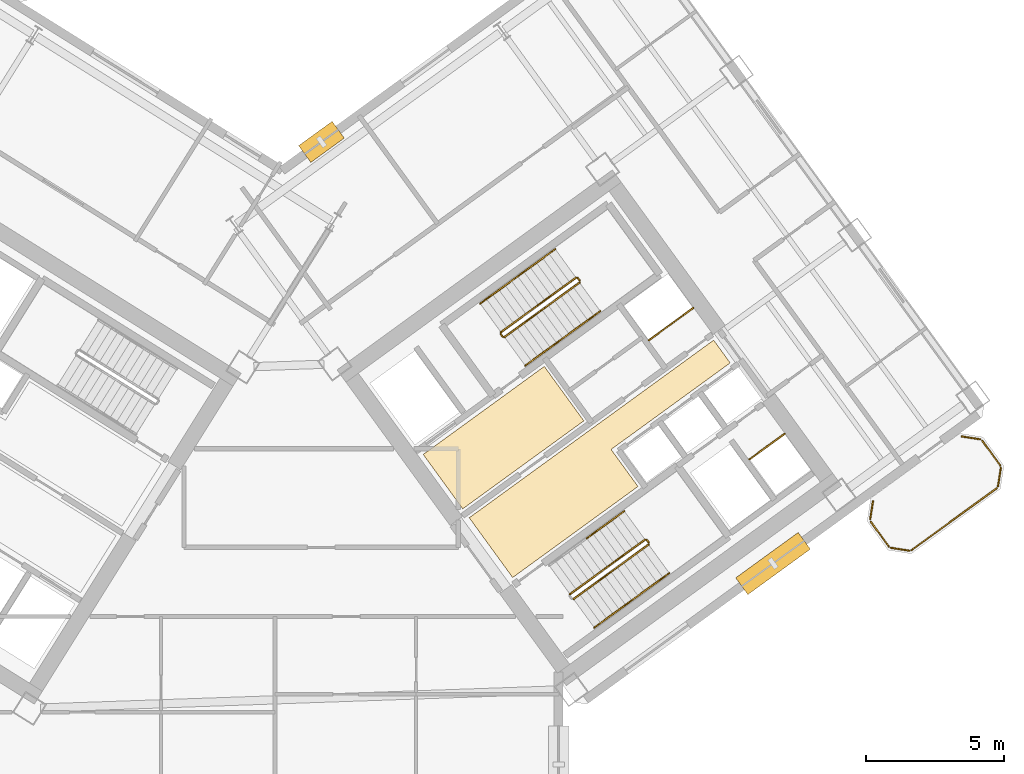
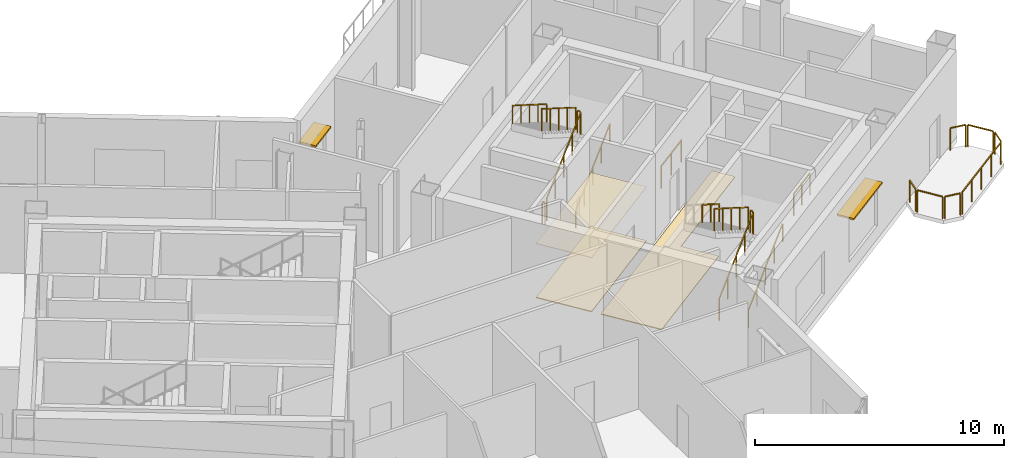
# One storey, part 20 of 21: 23 railings, 3 coverings, 2 shading devices.
"""IFC4 building model written with IfcOpenShell, lengths in metres."""

from ifc_helpers import new_model, si_unit, direction, frame, origin, origin_2d, place, context, subcontext, project, spatial, polyline, rectangle, outline, extrude, source, transform, mapped, material, layer, layer_set, type_object, element, save


model = new_model("IFC4")

# Units and contexts
model_context = context("Model", 3, precision=1e-05, world=origin(), true_north=direction((0.0, 1.0)))
body_context = subcontext(model_context, "Body", "Model", "MODEL_VIEW")
ifc_project = project(units=[si_unit("LENGTHUNIT", "METRE"), si_unit("AREAUNIT", "SQUARE_METRE"), si_unit("VOLUMEUNIT", "CUBIC_METRE"), si_unit("PLANEANGLEUNIT", "RADIAN"), si_unit("MASSUNIT", "GRAM", prefix="KILO")], contexts=[model_context])

# Site, building, storey
site_placement = place(None, origin())
site = spatial("IfcSite", under=ifc_project, at=site_placement, CompositionType="ELEMENT")
building_placement = place(site_placement, origin())
building = spatial("IfcBuilding", under=site, at=building_placement, Name="Tlacorven Tower", CompositionType="ELEMENT")
storey_placement = place(building_placement, frame((0.0, 0.0, 100.800048828125)))
storey = spatial("IfcBuildingStorey", under=building, at=storey_placement, Name="L25", CompositionType="ELEMENT", Elevation=100.800048828125)

# Coverings
ifc_material_1 = material(Name="Acoustic mineral-fibre ceiling")
ifc_layer_1 = layer(ifc_material_1, 0.02490234375)
ifc_layer_set_1 = layer_set([ifc_layer_1], Name="Acoustic mineral-fibre ceiling")
covering_type_1 = type_object("IfcCoveringType", Name="CV-CLG-ACST", PredefinedType="CEILING", material=ifc_layer_set_1)
covering_1_placement = place(storey_placement, frame((0.0, 0.0, 2.64990234375)))
element("IfcCovering", 1, at=covering_1_placement, inside=storey, type_object=covering_type_1, Name="L25 Acoustic Suspended Ceiling 3", PredefinedType="CEILING", context=body_context, shape_type="SweptSolid", body=[
    extrude(outline(polyline([(48.760498046875, 19.326171875), (47.326171875, 21.300048828125), (51.71923828125, 24.49169921875), (53.1533203125, 22.517822265625), (48.760498046875, 19.326171875)])), origin(), (0.0, 0.0, 1.0), 0.025146484375),
])
ifc_material_2 = material(Name="Terrazzo and ceramic flooring")
ifc_layer_2 = layer(ifc_material_2, 0.0400390625)
ifc_layer_set_2 = layer_set([ifc_layer_2], Name="Terrazzo and ceramic flooring")
covering_type_2 = type_object("IfcCoveringType", Name="CV-FLR-TERZ", PredefinedType="FLOORING", material=ifc_layer_set_2)
covering_2_placement = place(storey_placement, origin())
element("IfcCovering", 2, at=covering_2_placement, inside=storey, type_object=covering_type_2, Name="L25 Terrazzo Floor Finish 3", PredefinedType="FLOORING", context=body_context, shape_type="SweptSolid", body=[
    extrude(outline(polyline([(48.760498046875, 19.326171875), (47.326171875, 21.300048828125), (51.71923828125, 24.49169921875), (53.1533203125, 22.517822265625), (48.760498046875, 19.326171875)])), origin(), (0.0, 0.0, 1.0), 0.0400390625),
])
covering_3_placement = place(storey_placement, origin())
element("IfcCovering", 3, at=covering_3_placement, inside=storey, type_object=covering_type_2, Name="L25 Terrazzo Floor Finish 4", PredefinedType="FLOORING", context=body_context, shape_type="SweptSolid", body=[
    extrude(outline(polyline([(50.57080078125, 16.834228515625), (48.99560546875, 19.00244140625), (57.8623046875, 25.444580078125), (58.4619140625, 24.619384765625), (54.141845703125, 21.480712890625), (55.117431640625, 20.1376953125), (50.57080078125, 16.834228515625)])), origin(), (0.0, 0.0, 1.0), 0.0400390625),
])

# Railings
ifc_material_3 = material(Name="Aluminium and painted steel balustrade", Category="steel")
railing_type_1 = type_object("IfcRailingType", Name="RL-GRD-1100", PredefinedType="GUARDRAIL", material=ifc_material_3)
shared_shape_1 = source(origin(), body_context, "Body", "SweptSolid", [
    extrude(rectangle(XDim=0.048095703125, YDim=0.048095703125, at=origin_2d()), frame((0.0, 0.0, 1.076171875), z_axis=(0.808947177504, 0.587881334972, 0.0), x_axis=(-0.587881334972, 0.808947177504, 0.0)), (0.0, 0.0, 1.0), 2.0),
    extrude(rectangle(XDim=0.0419921875, YDim=0.0419921875, at=origin_2d()), origin(), (0.0, 0.0, 1.0), 1.052001953125),
    extrude(rectangle(XDim=0.0419921875, YDim=0.0419921875, at=origin_2d()), frame((0.80908203125, 0.587890625, 0.0)), (0.0, 0.0, 1.0), 1.052001953125),
    extrude(rectangle(XDim=0.0419921875, YDim=0.0419921875, at=origin_2d()), frame((1.617919921875, 1.17578125, 0.0)), (0.0, 0.0, 1.0), 1.052001953125),
])
railing_1_placement = place(storey_placement, frame((55.506103515625, 25.438232421875, 0.0)))
element("IfcRailing", 4, at=railing_1_placement, inside=storey, type_object=railing_type_1, Name="L25 Electrical Riser E Shaft Guard 1", PredefinedType="GUARDRAIL", context=body_context, shape_type="MappedRepresentation", body=[
    mapped(shared_shape_1, transform((0.0, 0.0, 0.0), scale=1.0)),
])
shared_shape_2 = source(origin(), body_context, "Body", "SweptSolid", [
    extrude(rectangle(XDim=0.048095703125, YDim=0.048095703125, at=origin_2d()), frame((0.0, 0.0, 1.076171875), z_axis=(0.809029975545, 0.58776738483, 0.0), x_axis=(-0.58776738483, 0.809029975545, 0.0)), (0.0, 0.0, 1.0), 1.580078125),
    extrude(rectangle(XDim=0.0419921875, YDim=0.0419921875, at=origin_2d()), origin(), (0.0, 0.0, 1.0), 1.052001953125),
    extrude(rectangle(XDim=0.0419921875, YDim=0.0419921875, at=origin_2d()), frame((0.63916015625, 0.46435546875, 0.0)), (0.0, 0.0, 1.0), 1.052001953125),
    extrude(rectangle(XDim=0.0419921875, YDim=0.0419921875, at=origin_2d()), frame((1.2783203125, 0.9287109375, 0.0)), (0.0, 0.0, 1.0), 1.052001953125),
])
railing_2_placement = place(storey_placement, frame((59.160888671875, 21.122314453125, 0.0)))
element("IfcRailing", 5, at=railing_2_placement, inside=storey, type_object=railing_type_1, Name="L25 Smoke Riser E Shaft Guard 1", PredefinedType="GUARDRAIL", context=body_context, shape_type="MappedRepresentation", body=[
    mapped(shared_shape_2, transform((0.0, 0.0, 0.0), scale=1.0)),
])
railing_type_2 = type_object("IfcRailingType", Name="RL-BAL-1100", PredefinedType="BALUSTRADE", material=ifc_material_3)
shared_shape_3 = source(origin(), body_context, "Body", "SweptSolid", [
    extrude(rectangle(XDim=0.048095703125, YDim=0.048095703125, at=origin_2d()), frame((0.0, 0.0, 1.076171875), z_axis=(0.156602868908, 0.987661653326, 0.0), x_axis=(-0.987661653326, 0.156602868908, 0.0)), (0.0, 0.0, 1.0), 0.665771484375),
    extrude(rectangle(XDim=0.0419921875, YDim=0.0419921875, at=origin_2d()), origin(), (0.0, 0.0, 1.0), 1.052001953125),
    extrude(rectangle(XDim=0.0419921875, YDim=0.0419921875, at=origin_2d()), frame((0.104248046875, 0.657470703125, 0.0)), (0.0, 0.0, 1.0), 1.052001953125),
])
railing_3_placement = place(storey_placement, frame((63.539306640625, 18.949951171875, 0.0)))
element("IfcRailing", 6, at=railing_3_placement, inside=storey, type_object=railing_type_2, Name="BAL-L25-E-OUT Guard Railing 3", PredefinedType="BALUSTRADE", context=body_context, shape_type="MappedRepresentation", body=[
    mapped(shared_shape_3, transform((0.0, 0.0, 0.0), scale=1.0)),
])
shared_shape_4 = source(origin(), body_context, "Body", "SweptSolid", [
    extrude(rectangle(XDim=0.048095703125, YDim=0.048095703125, at=origin_2d()), frame((0.0, 0.0, 1.076171875), z_axis=(0.58788449985, -0.808944877501, 0.0), x_axis=(0.808944877501, 0.58788449985, 0.0)), (0.0, 0.0, 1.0), 1.112060546875),
    extrude(rectangle(XDim=0.0419921875, YDim=0.0419921875, at=origin_2d()), origin(), (0.0, 0.0, 1.0), 1.052001953125),
    extrude(rectangle(XDim=0.0419921875, YDim=0.0419921875, at=origin_2d()), frame((0.65380859375, -0.899658203125, 0.0)), (0.0, 0.0, 1.0), 1.052001953125),
])
railing_4_placement = place(storey_placement, frame((67.60595703125, 21.799072265625, 0.0)))
element("IfcRailing", 7, at=railing_4_placement, inside=storey, type_object=railing_type_2, Name="BAL-L25-E-OUT Guard Railing 5", PredefinedType="BALUSTRADE", context=body_context, shape_type="MappedRepresentation", body=[
    mapped(shared_shape_4, transform((0.0, 0.0, 0.0), scale=1.0)),
])
shared_shape_5 = source(origin(), body_context, "Body", "SweptSolid", [
    extrude(rectangle(XDim=0.048095703125, YDim=0.048095703125, at=origin_2d()), frame((0.0, 0.0, 1.076171875), z_axis=(-0.809018102573, -0.587783726986, 0.0), x_axis=(0.587783726986, -0.809018102573, 0.0)), (0.0, 0.0, 1.0), 3.817138671875),
    extrude(rectangle(XDim=0.0419921875, YDim=0.0419921875, at=origin_2d()), origin(), (0.0, 0.0, 1.0), 1.052001953125),
    extrude(rectangle(XDim=0.0419921875, YDim=0.0419921875, at=origin_2d()), frame((-0.77197265625, -0.56103515625, 0.0)), (0.0, 0.0, 1.0), 1.052001953125),
    extrude(rectangle(XDim=0.0419921875, YDim=0.0419921875, at=origin_2d()), frame((-1.5439453125, -1.121826171875, 0.0)), (0.0, 0.0, 1.0), 1.052001953125),
    extrude(rectangle(XDim=0.0419921875, YDim=0.0419921875, at=origin_2d()), frame((-2.316162109375, -1.6826171875, 0.0)), (0.0, 0.0, 1.0), 1.052001953125),
    extrude(rectangle(XDim=0.0419921875, YDim=0.0419921875, at=origin_2d()), frame((-3.088134765625, -2.24365234375, 0.0)), (0.0, 0.0, 1.0), 1.052001953125),
])
railing_5_placement = place(storey_placement, frame((68.12890625, 20.0732421875, 0.0)))
element("IfcRailing", 8, at=railing_5_placement, inside=storey, type_object=railing_type_2, Name="BAL-L25-E-OUT Guard Railing 7", PredefinedType="BALUSTRADE", context=body_context, shape_type="MappedRepresentation", body=[
    mapped(shared_shape_5, transform((0.0, 0.0, 0.0), scale=1.0)),
])
shared_shape_6 = source(origin(), body_context, "Body", "SweptSolid", [
    extrude(rectangle(XDim=0.048095703125, YDim=0.048095703125, at=origin_2d()), frame((0.0, 0.0, 1.076171875), z_axis=(-0.987718317463, 0.156245081039, 0.0), x_axis=(-0.156245081039, -0.987718317463, 0.0)), (0.0, 0.0, 1.0), 0.66552734375),
    extrude(rectangle(XDim=0.0419921875, YDim=0.0419921875, at=origin_2d()), origin(), (0.0, 0.0, 1.0), 1.052001953125),
    extrude(rectangle(XDim=0.0419921875, YDim=0.0419921875, at=origin_2d()), frame((-0.657470703125, 0.10400390625, 0.0)), (0.0, 0.0, 1.0), 1.052001953125),
])
railing_6_placement = place(storey_placement, frame((64.950927734375, 17.80810546875, 0.0)))
element("IfcRailing", 9, at=railing_6_placement, inside=storey, type_object=railing_type_2, Name="BAL-L25-E-OUT Guard Railing 1", PredefinedType="BALUSTRADE", context=body_context, shape_type="MappedRepresentation", body=[
    mapped(shared_shape_6, transform((0.0, 0.0, 0.0), scale=1.0)),
])
shared_shape_7 = source(origin(), body_context, "Body", "SweptSolid", [
    extrude(rectangle(XDim=0.048095703125, YDim=0.048095703125, at=origin_2d()), frame((0.0, 0.0, 1.076171875), z_axis=(-0.587740817519, 0.809049276263, 0.0), x_axis=(-0.809049276263, -0.587740817519, 0.0)), (0.0, 0.0, 1.0), 1.112060546875),
    extrude(rectangle(XDim=0.0419921875, YDim=0.0419921875, at=origin_2d()), origin(), (0.0, 0.0, 1.0), 1.052001953125),
    extrude(rectangle(XDim=0.0419921875, YDim=0.0419921875, at=origin_2d()), frame((-0.653564453125, 0.899658203125, 0.0)), (0.0, 0.0, 1.0), 1.052001953125),
])
railing_7_placement = place(storey_placement, frame((64.214599609375, 17.96044921875, 0.0)))
element("IfcRailing", 10, at=railing_7_placement, inside=storey, type_object=railing_type_2, Name="BAL-L25-E-OUT Guard Railing 2", PredefinedType="BALUSTRADE", context=body_context, shape_type="MappedRepresentation", body=[
    mapped(shared_shape_7, transform((0.0, 0.0, 0.0), scale=1.0)),
])
shared_shape_8 = source(origin(), body_context, "Body", "SweptSolid", [
    extrude(rectangle(XDim=0.048095703125, YDim=0.048095703125, at=origin_2d()), frame((0.0, 0.0, 1.076171875), z_axis=(-0.156245081039, -0.987718317463, 0.0), x_axis=(0.987718317463, -0.156245081039, 0.0)), (0.0, 0.0, 1.0), 0.66552734375),
    extrude(rectangle(XDim=0.0419921875, YDim=0.0419921875, at=origin_2d()), origin(), (0.0, 0.0, 1.0), 1.052001953125),
    extrude(rectangle(XDim=0.0419921875, YDim=0.0419921875, at=origin_2d()), frame((-0.10400390625, -0.657470703125, 0.0)), (0.0, 0.0, 1.0), 1.052001953125),
])
railing_8_placement = place(storey_placement, frame((68.28125, 20.8095703125, 0.0)))
element("IfcRailing", 11, at=railing_8_placement, inside=storey, type_object=railing_type_2, Name="BAL-L25-E-OUT Guard Railing 6", PredefinedType="BALUSTRADE", context=body_context, shape_type="MappedRepresentation", body=[
    mapped(shared_shape_8, transform((0.0, 0.0, 0.0), scale=1.0)),
])
shared_shape_9 = source(origin(), body_context, "Body", "SweptSolid", [
    extrude(rectangle(XDim=0.048095703125, YDim=0.048095703125, at=origin_2d()), frame((0.0, 0.0, 1.076171875), z_axis=(0.987727266442, -0.156188498702, 0.0), x_axis=(0.156188498702, 0.987727266442, 0.0)), (0.0, 0.0, 1.0), 0.665771484375),
    extrude(rectangle(XDim=0.0419921875, YDim=0.0419921875, at=origin_2d()), origin(), (0.0, 0.0, 1.0), 1.052001953125),
    extrude(rectangle(XDim=0.0419921875, YDim=0.0419921875, at=origin_2d()), frame((0.65771484375, -0.10400390625, 0.0)), (0.0, 0.0, 1.0), 1.052001953125),
])
railing_9_placement = place(storey_placement, frame((66.86962890625, 21.951416015625, 0.0)))
element("IfcRailing", 12, at=railing_9_placement, inside=storey, type_object=railing_type_2, Name="BAL-L25-E-OUT Guard Railing 4", PredefinedType="BALUSTRADE", context=body_context, shape_type="MappedRepresentation", body=[
    mapped(shared_shape_9, transform((0.0, 0.0, 0.0), scale=1.0)),
])

# Shading devices
ifc_material_4 = material(Name="Anodised bronze aluminium sunshade", Category="aluminium")
ifc_layer_3 = layer(ifc_material_4, 0.080078125)
ifc_layer_set_3 = layer_set([ifc_layer_3], Name="Anodised bronze aluminium sunshade")
shading_device_type = type_object("IfcShadingDeviceType", Name="SH-SUN-BRZ", PredefinedType="AWNING", material=ifc_layer_set_3)
shared_shape_10 = source(origin(), body_context, "Body", "SweptSolid", [
    extrude(rectangle(XDim=2.800048828125, YDim=0.75, at=origin_2d()), origin(), (0.0, 0.0, 1.0), 0.080078125),
])
shading_device_1_placement = place(storey_placement, frame((60.015625, 17.343017578125, 2.77001953125), z_axis=(0.0, 0.0, 1.0), x_axis=(-0.809016829126, -0.587785479738, 0.0)))
element("IfcShadingDevice", 13, at=shading_device_1_placement, inside=storey, type_object=shading_device_type, Name="L25 Solar Brise-Soleil Sunshade L25-06.1", PredefinedType="AWNING", context=body_context, shape_type="MappedRepresentation", body=[
    mapped(shared_shape_10, transform((0.0, 0.0, 0.0), scale=1.0)),
])
shared_shape_11 = source(origin(), body_context, "Body", "SweptSolid", [
    extrude(rectangle(XDim=1.5, YDim=0.75, at=origin_2d()), origin(), (0.0, 0.0, 1.0), 0.080078125),
])
shading_device_2_placement = place(storey_placement, frame((43.63671875, 32.636474609375, 2.369873046875), z_axis=(0.0, 0.0, 1.0), x_axis=(0.809016703631, 0.587785652468, 0.0)))
element("IfcShadingDevice", 14, at=shading_device_2_placement, inside=storey, type_object=shading_device_type, Name="L25 Solar Brise-Soleil Sunshade L25-04.1", PredefinedType="AWNING", context=body_context, shape_type="MappedRepresentation", body=[
    mapped(shared_shape_11, transform((0.0, 0.0, 0.0), scale=1.0)),
])

# Railings
shared_shape_12 = source(origin(), body_context, "Body", "SweptSolid", [
    extrude(rectangle(XDim=0.048095703125, YDim=0.048095703125, at=origin_2d()), frame((0.0, 0.0, 1.076171875), z_axis=(-0.587567097037, 0.809175448515, 0.0), x_axis=(-0.809175448515, -0.587567097037, 0.0)), (0.0, 0.0, 1.0), 0.1201171875),
    extrude(rectangle(XDim=0.0419921875, YDim=0.0419921875, at=origin_2d()), origin(), (0.0, 0.0, 1.0), 1.052001953125),
    extrude(rectangle(XDim=0.0419921875, YDim=0.0419921875, at=origin_2d()), frame((-0.070556640625, 0.09716796875, 0.0)), (0.0, 0.0, 1.0), 1.052001953125),
])
for number, where, name in (
    (15, (53.006591796875, 27.6025390625, 2.25), "L25 ST-E1 stair guard 2"),
    (16, (55.510498046875, 18.099365234375, 2.25), "L25 ST-E2 stair guard 2"),
):
    element("IfcRailing", number, at=place(storey_placement, frame(where)), inside=storey, type_object=railing_type_1, Name=name, PredefinedType="GUARDRAIL", context=body_context, shape_type="MappedRepresentation", body=[
        mapped(shared_shape_12, transform((0.0, 0.0, 0.0), scale=1.0)),
    ])
shared_shape_13 = source(origin(), body_context, "Body", "SweptSolid", [
    extrude(rectangle(XDim=0.048095703125, YDim=0.048095703125, at=origin_2d()), frame((0.0, 0.0, 1.076171875), z_axis=(-0.587201422542, 0.809440849824, 0.0), x_axis=(-0.809440849824, -0.587201422542, 0.0)), (0.0, 0.0, 1.0), 0.11962890625),
    extrude(rectangle(XDim=0.0419921875, YDim=0.0419921875, at=origin_2d()), origin(), (0.0, 0.0, 1.0), 1.052001953125),
    extrude(rectangle(XDim=0.0419921875, YDim=0.0419921875, at=origin_2d()), frame((-0.0703125, 0.096923828125, 0.0)), (0.0, 0.0, 1.0), 1.052001953125),
])
railing_10_placement = place(storey_placement, frame((50.207275390625, 25.56884765625, 0.0)))
element("IfcRailing", 17, at=railing_10_placement, inside=storey, type_object=railing_type_1, Name="L25 ST-E1 stair guard 4", PredefinedType="GUARDRAIL", context=body_context, shape_type="MappedRepresentation", body=[
    mapped(shared_shape_13, transform((0.0, 0.0, 0.0), scale=1.0)),
])
shared_shape_14 = source(origin(), body_context, "Body", "SweptSolid", [
    extrude(rectangle(XDim=0.048095703125, YDim=0.048095703125, at=origin_2d()), frame((0.0, 0.0, 1.076171875), z_axis=(0.688166980386, 0.499962520599, 0.525798141023), x_axis=(-0.587769819143, 0.809028206989, 0.0)), (0.0, 0.0, 1.0), 3.949951171875),
    extrude(rectangle(XDim=0.0419921875, YDim=0.0419921875, at=origin_2d()), origin(), (0.0, 0.0, 1.0), 1.052001953125),
    extrude(rectangle(XDim=0.0419921875, YDim=0.0419921875, at=origin_2d()), frame((0.6796875, 0.49365234375, 0.519287109375)), (0.0, 0.0, 1.0), 1.052001953125),
    extrude(rectangle(XDim=0.0419921875, YDim=0.0419921875, at=origin_2d()), frame((1.359130859375, 0.9873046875, 1.03857421875)), (0.0, 0.0, 1.0), 1.052001953125),
    extrude(rectangle(XDim=0.0419921875, YDim=0.0419921875, at=origin_2d()), frame((2.03857421875, 1.481201171875, 1.5576171875)), (0.0, 0.0, 1.0), 1.052001953125),
    extrude(rectangle(XDim=0.0419921875, YDim=0.0419921875, at=origin_2d()), frame((2.71826171875, 1.974853515625, 2.076904296875)), (0.0, 0.0, 1.0), 1.052001953125),
])
for number, where, name in (
    (18, (50.27734375, 25.557861328125, 0.173095703125), "L25 ST-E1 stair guard 1"),
    (19, (52.78125, 16.0546875, 0.173095703125), "L25 ST-E2 stair guard 1"),
):
    element("IfcRailing", number, at=place(storey_placement, frame(where)), inside=storey, type_object=railing_type_1, Name=name, PredefinedType="GUARDRAIL", context=body_context, shape_type="MappedRepresentation", body=[
        mapped(shared_shape_14, transform((0.0, 0.0, 0.0), scale=1.0)),
    ])
shared_shape_15 = source(origin(), body_context, "Body", "SweptSolid", [
    extrude(rectangle(XDim=0.048095703125, YDim=0.048095703125, at=origin_2d()), frame((0.0, 0.0, 1.076171875), z_axis=(-0.688166980386, -0.499962520599, 0.525798141023), x_axis=(0.587769819143, -0.809028206989, 0.0)), (0.0, 0.0, 1.0), 3.949951171875),
    extrude(rectangle(XDim=0.0419921875, YDim=0.0419921875, at=origin_2d()), origin(), (0.0, 0.0, 1.0), 1.052001953125),
    extrude(rectangle(XDim=0.0419921875, YDim=0.0419921875, at=origin_2d()), frame((-0.6796875, -0.49365234375, 0.519287109375)), (0.0, 0.0, 1.0), 1.052001953125),
    extrude(rectangle(XDim=0.0419921875, YDim=0.0419921875, at=origin_2d()), frame((-1.359130859375, -0.9873046875, 1.03857421875)), (0.0, 0.0, 1.0), 1.052001953125),
    extrude(rectangle(XDim=0.0419921875, YDim=0.0419921875, at=origin_2d()), frame((-2.03857421875, -1.481201171875, 1.5576171875)), (0.0, 0.0, 1.0), 1.052001953125),
    extrude(rectangle(XDim=0.0419921875, YDim=0.0419921875, at=origin_2d()), frame((-2.71826171875, -1.974853515625, 2.076904296875)), (0.0, 0.0, 1.0), 1.052001953125),
])
for number, where, name in (
    (20, (52.8662109375, 27.710693359375, 2.423095703125), "L25 ST-E1 stair guard 3"),
    (21, (55.3701171875, 18.20751953125, 2.423095703125), "L25 ST-E2 stair guard 3"),
):
    element("IfcRailing", number, at=place(storey_placement, frame(where)), inside=storey, type_object=railing_type_1, Name=name, PredefinedType="GUARDRAIL", context=body_context, shape_type="MappedRepresentation", body=[
        mapped(shared_shape_15, transform((0.0, 0.0, 0.0), scale=1.0)),
    ])
railing_type_3 = type_object("IfcRailingType", Name="RL-HND-0900", PredefinedType="HANDRAIL", material=ifc_material_3)
shared_shape_16 = source(origin(), body_context, "Body", "SweptSolid", [
    extrude(rectangle(XDim=0.048095703125, YDim=0.048095703125, at=origin_2d()), frame((0.0, 0.0, 0.8759765625), z_axis=(0.688123352181, 0.499992627909, 0.525826610414), x_axis=(-0.587817375869, 0.808993654256, 0.0)), (0.0, 0.0, 1.0), 1.97509765625),
    extrude(rectangle(XDim=0.0419921875, YDim=0.0419921875, at=origin_2d()), origin(), (0.0, 0.0, 1.0), 0.851806640625),
    extrude(rectangle(XDim=0.0419921875, YDim=0.0419921875, at=origin_2d()), frame((0.6796875, 0.49365234375, 0.519287109375)), (0.0, 0.0, 1.0), 0.851806640625),
    extrude(rectangle(XDim=0.0419921875, YDim=0.0419921875, at=origin_2d()), frame((1.359130859375, 0.987548828125, 1.03857421875)), (0.0, 0.0, 1.0), 0.851806640625),
])
railing_11_placement = place(storey_placement, frame((54.892822265625, 16.006591796875, 1.21142578125)))
element("IfcRailing", 22, at=railing_11_placement, inside=storey, type_object=railing_type_3, Name="L25 ST-E2 stair handrail 2", PredefinedType="HANDRAIL", context=body_context, shape_type="MappedRepresentation", body=[
    mapped(shared_shape_16, transform((0.0, 0.0, 0.0), scale=1.0)),
])
shared_shape_17 = source(origin(), body_context, "Body", "SweptSolid", [
    extrude(rectangle(XDim=0.048095703125, YDim=0.048095703125, at=origin_2d()), frame((0.0, 0.0, 0.8759765625), z_axis=(-0.688123352181, -0.499992627909, 0.525826610414), x_axis=(0.587817375869, -0.808993654256, 0.0)), (0.0, 0.0, 1.0), 1.97509765625),
    extrude(rectangle(XDim=0.0419921875, YDim=0.0419921875, at=origin_2d()), origin(), (0.0, 0.0, 1.0), 0.851806640625),
    extrude(rectangle(XDim=0.0419921875, YDim=0.0419921875, at=origin_2d()), frame((-0.6796875, -0.49365234375, 0.519287109375)), (0.0, 0.0, 1.0), 0.851806640625),
    extrude(rectangle(XDim=0.0419921875, YDim=0.0419921875, at=origin_2d()), frame((-1.359130859375, -0.987548828125, 1.03857421875)), (0.0, 0.0, 1.0), 0.851806640625),
])
railing_12_placement = place(storey_placement, frame((50.754638671875, 27.7587890625, 3.46142578125)))
element("IfcRailing", 23, at=railing_12_placement, inside=storey, type_object=railing_type_3, Name="L25 ST-E1 stair handrail 4", PredefinedType="HANDRAIL", context=body_context, shape_type="MappedRepresentation", body=[
    mapped(shared_shape_17, transform((0.0, 0.0, 0.0), scale=1.0)),
])
shared_shape_18 = source(origin(), body_context, "Body", "SweptSolid", [
    extrude(rectangle(XDim=0.048095703125, YDim=0.048095703125, at=origin_2d()), frame((0.0, 0.0, 0.8759765625), z_axis=(-0.688168076653, -0.500025124854, 0.525737170829), x_axis=(0.587817375869, -0.808993654256, 0.0)), (0.0, 0.0, 1.0), 1.97509765625),
    extrude(rectangle(XDim=0.0419921875, YDim=0.0419921875, at=origin_2d()), origin(), (0.0, 0.0, 1.0), 0.851806640625),
    extrude(rectangle(XDim=0.0419921875, YDim=0.0419921875, at=origin_2d()), frame((-0.6796875, -0.49365234375, 0.51904296875)), (0.0, 0.0, 1.0), 0.851806640625),
    extrude(rectangle(XDim=0.0419921875, YDim=0.0419921875, at=origin_2d()), frame((-1.359130859375, -0.987548828125, 1.038330078125)), (0.0, 0.0, 1.0), 0.851806640625),
])
for number, where, name in (
    (24, (52.11376953125, 28.746337890625, 2.423095703125), "L25 ST-E1 stair handrail 3"),
    (25, (54.617919921875, 19.2431640625, 2.423095703125), "L25 ST-E2 stair handrail 3"),
):
    element("IfcRailing", number, at=place(storey_placement, frame(where)), inside=storey, type_object=railing_type_3, Name=name, PredefinedType="HANDRAIL", context=body_context, shape_type="MappedRepresentation", body=[
        mapped(shared_shape_18, transform((0.0, 0.0, 0.0), scale=1.0)),
    ])
shared_shape_19 = source(origin(), body_context, "Body", "SweptSolid", [
    extrude(rectangle(XDim=0.048095703125, YDim=0.048095703125, at=origin_2d()), frame((0.0, 0.0, 0.8759765625), z_axis=(0.688168076653, 0.500025124854, 0.525737170829), x_axis=(-0.587817375869, 0.808993654256, 0.0)), (0.0, 0.0, 1.0), 1.97509765625),
    extrude(rectangle(XDim=0.0419921875, YDim=0.0419921875, at=origin_2d()), origin(), (0.0, 0.0, 1.0), 0.851806640625),
    extrude(rectangle(XDim=0.0419921875, YDim=0.0419921875, at=origin_2d()), frame((0.6796875, 0.49365234375, 0.51904296875)), (0.0, 0.0, 1.0), 0.851806640625),
    extrude(rectangle(XDim=0.0419921875, YDim=0.0419921875, at=origin_2d()), frame((1.359130859375, 0.987548828125, 1.038330078125)), (0.0, 0.0, 1.0), 0.851806640625),
])
for number, where, name in (
    (26, (51.029541015625, 24.522216796875, 0.173095703125), "L25 ST-E1 stair handrail 1"),
    (27, (53.53369140625, 15.01904296875, 0.173095703125), "L25 ST-E2 stair handrail 1"),
):
    element("IfcRailing", number, at=place(storey_placement, frame(where)), inside=storey, type_object=railing_type_3, Name=name, PredefinedType="HANDRAIL", context=body_context, shape_type="MappedRepresentation", body=[
        mapped(shared_shape_19, transform((0.0, 0.0, 0.0), scale=1.0)),
    ])
shared_shape_20 = source(origin(), body_context, "Body", "SweptSolid", [
    extrude(rectangle(XDim=0.048095703125, YDim=0.048095703125, at=origin_2d()), frame((0.0, 0.0, 0.8759765625), z_axis=(0.688165878867, 0.499899912725, 0.525859107006), x_axis=(-0.587722256323, 0.809062759879, 0.0)), (0.0, 0.0, 1.0), 1.97509765625),
    extrude(rectangle(XDim=0.0419921875, YDim=0.0419921875, at=origin_2d()), origin(), (0.0, 0.0, 1.0), 0.851806640625),
    extrude(rectangle(XDim=0.0419921875, YDim=0.0419921875, at=origin_2d()), frame((0.6796875, 0.49365234375, 0.519287109375)), (0.0, 0.0, 1.0), 0.851806640625),
    extrude(rectangle(XDim=0.0419921875, YDim=0.0419921875, at=origin_2d()), frame((1.359130859375, 0.9873046875, 1.03857421875)), (0.0, 0.0, 1.0), 0.851806640625),
])
railing_13_placement = place(storey_placement, frame((52.388671875, 25.509765625, 1.21142578125)))
element("IfcRailing", 28, at=railing_13_placement, inside=storey, type_object=railing_type_3, Name="L25 ST-E1 stair handrail 2", PredefinedType="HANDRAIL", context=body_context, shape_type="MappedRepresentation", body=[
    mapped(shared_shape_20, transform((0.0, 0.0, 0.0), scale=1.0)),
])

save(model, "model.ifc")
